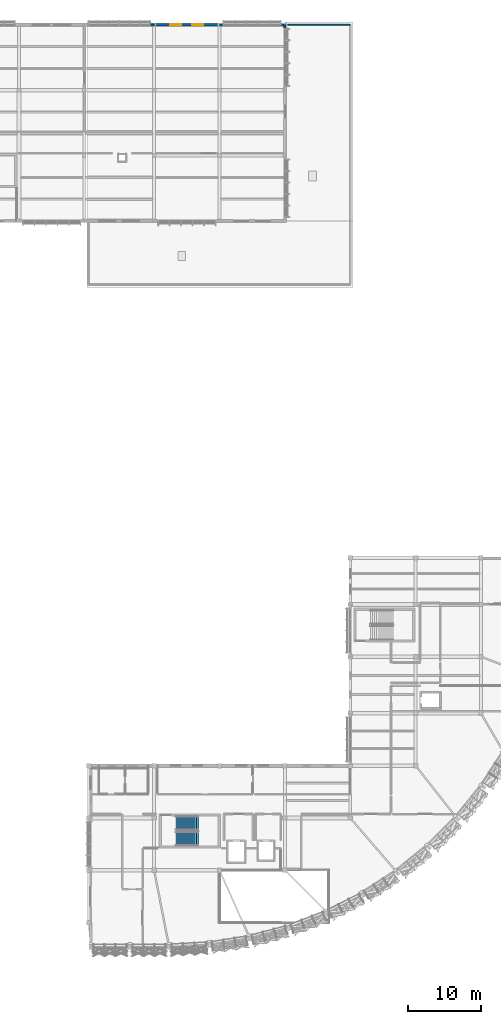
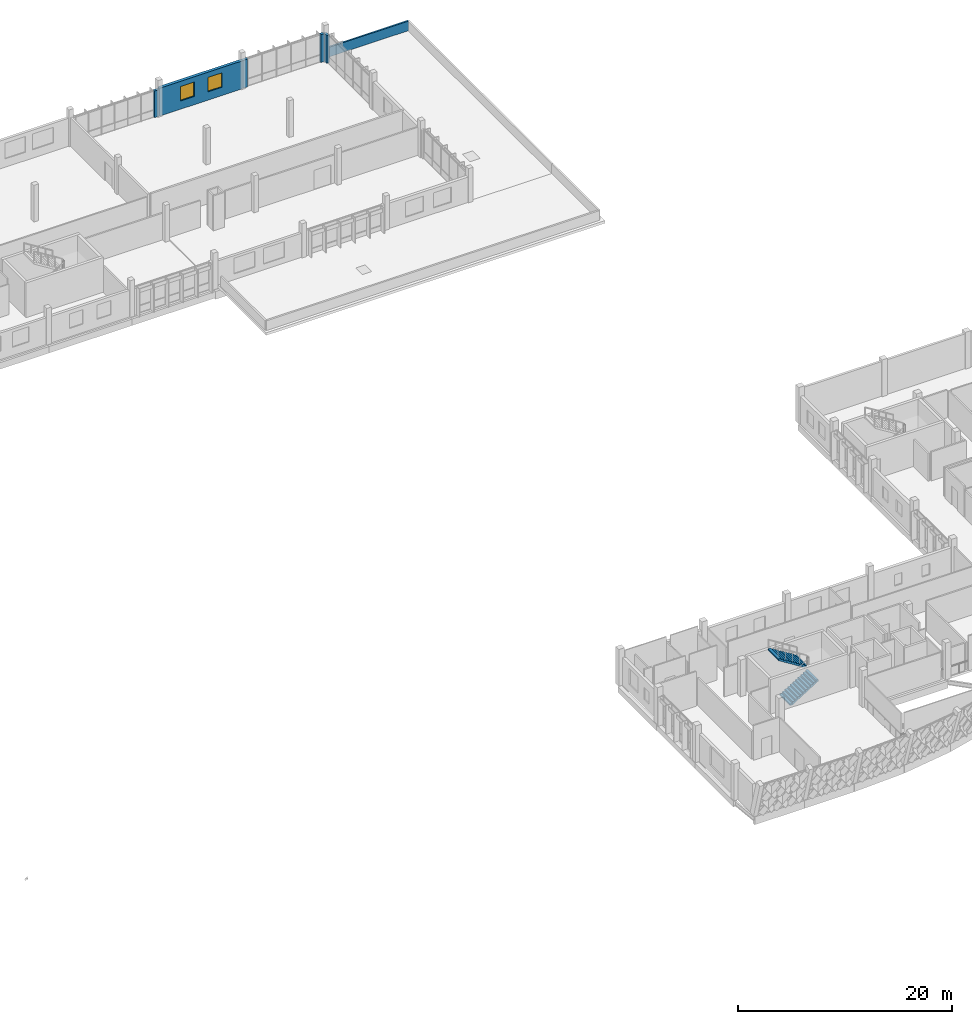
# One storey, part 100 of 107: 6 walls, 2 stair flights, 2 windows, 2 openings, 1 element without a shape of its own.
"""IFC4 building model written with IfcOpenShell, lengths in metres."""

import ifcopenshell
import ifcopenshell.guid

model = None  # the IFC model being written
_history = None  # IfcOwnerHistory: only IFC2X3 demands one
_inside = {}  # id of a spatial element -> (the spatial element, [elements in it])
_under = {}  # id of a project, library or spatial element -> (it, [spatial elements below it])
_declared = {}  # id of a project -> (the project, [libraries it declares])
_typed = {}  # id of a type object -> (the type object, [elements of that type])
_made_of = {}  # id of a material, layer set ... -> (it, [elements and type objects made of it])


def new_model(schema):
    """Start an empty IFC model of exactly this schema.

    Asked for "IFC4X3", IfcOpenShell would pick the latest addendum, in which some entities
    have other attributes; the version numbers below select the first issue.
    IFC2X3 requires an IfcOwnerHistory on every rooted entity: one is made here for all.
    """
    global model, _history
    if schema == "IFC4X3":
        model = ifcopenshell.file(schema_version=(4, 3, 0, 0))
    else:
        model = ifcopenshell.file(schema=schema)
    _inside.clear()
    _under.clear()
    _declared.clear()
    _typed.clear()
    _made_of.clear()
    _history = None
    if model.schema == "IFC2X3":
        org = make("IfcOrganization", Name="unknown")
        user = make(
            "IfcPersonAndOrganization",
            ThePerson=make("IfcPerson", FamilyName="unknown"),
            TheOrganization=org,
        )
        app = make(
            "IfcApplication",
            ApplicationDeveloper=org,
            Version="unknown",
            ApplicationFullName="unknown",
            ApplicationIdentifier="unknown",
        )
        _history = make(
            "IfcOwnerHistory",
            OwningUser=user,
            OwningApplication=app,
            ChangeAction="ADDED",
            CreationDate=0,
        )
    return model


def make(cls, **values):
    """One entity of the class cls with the attributes given. An attribute that is None is left unset."""
    return model.create_entity(
        cls, **{name: value for name, value in values.items() if value is not None}
    )


def rooted(cls, **values):
    """An entity with a GlobalId (a new one), such as an element, a storey or a relation."""
    return make(cls, GlobalId=ifcopenshell.guid.new(), OwnerHistory=_history, **values)


def si_unit(unit_type, name, prefix=None):
    """IfcSIUnit, for example si_unit("LENGTHUNIT", "METRE", prefix="MILLI")."""
    return make("IfcSIUnit", UnitType=unit_type, Prefix=prefix, Name=name)


def assignment(units):
    """IfcUnitAssignment: the units of a project."""
    return None if units is None else make("IfcUnitAssignment", Units=units)


def point(xyz):
    """IfcCartesianPoint."""
    return None if xyz is None else make("IfcCartesianPoint", Coordinates=xyz)


def direction(xyz):
    """IfcDirection."""
    return None if xyz is None else make("IfcDirection", DirectionRatios=xyz)


def frame(location, z_axis=None, x_axis=None):
    """IfcAxis2Placement3D, a coordinate frame: its origin and axes. An axis left out is left unset."""
    return make(
        "IfcAxis2Placement3D",
        Location=point(location),
        Axis=direction(z_axis),
        RefDirection=direction(x_axis),
    )


def frame_2d(location, x_axis=None):
    """IfcAxis2Placement2D, a coordinate frame in the plane: its origin and x axis."""
    return make(
        "IfcAxis2Placement2D", Location=point(location), RefDirection=direction(x_axis)
    )


def origin():
    """The frame at (0, 0, 0) with its axes left unset."""
    return frame((0.0, 0.0, 0.0))


def place(relative_to, where):
    """IfcLocalPlacement: puts the frame where relative to a parent placement (None: the world)."""
    return make(
        "IfcLocalPlacement", PlacementRelTo=relative_to, RelativePlacement=where
    )


def context(
    kind, dimensions, precision=None, world=None, true_north=None, identifier=None
):
    """IfcGeometricRepresentationContext, for example the 3D "Model" context."""
    return make(
        "IfcGeometricRepresentationContext",
        ContextIdentifier=identifier,
        ContextType=kind,
        CoordinateSpaceDimension=dimensions,
        Precision=precision,
        WorldCoordinateSystem=world,
        TrueNorth=true_north,
    )


def subcontext(parent, identifier, kind, view, scale=None):
    """IfcGeometricRepresentationSubContext, for example "Body" below "Model"."""
    return make(
        "IfcGeometricRepresentationSubContext",
        ContextIdentifier=identifier,
        ContextType=kind,
        ParentContext=parent,
        TargetScale=scale,
        TargetView=view,
    )


def project(units=None, contexts=None):
    """IfcProject with its units and contexts."""
    return rooted(
        "IfcProject",
        Name="project",
        RepresentationContexts=contexts,
        UnitsInContext=assignment(units),
    )


def spatial(cls, under=None, at=None, **own):
    """A site, building, storey or space (cls), placed at a placement, below another one or the project."""
    s = rooted(cls, ObjectPlacement=at, **own)
    if under is not None:
        _under.setdefault(under.id(), (under, []))[1].append(s)
    return s


def polyline(points):
    """IfcPolyline through the points."""
    return make("IfcPolyline", Points=[point(p) for p in points])


def profile(cls, at=None, kind="AREA", **sizes):
    """A parametric profile (cls). Its sizes go by their IFC names, for example OverallWidth=200.0."""
    return make(cls, ProfileType=kind, Position=at, **sizes)


def rectangle(**sizes):
    """IfcRectangleProfileDef."""
    return profile("IfcRectangleProfileDef", **sizes)


def outline(outer, holes=None, kind="AREA"):
    """IfcArbitraryClosedProfileDef: a profile drawn as a closed curve; with holes, ...WithVoids."""
    if holes is None:
        return make("IfcArbitraryClosedProfileDef", ProfileType=kind, OuterCurve=outer)
    return make(
        "IfcArbitraryProfileDefWithVoids",
        ProfileType=kind,
        OuterCurve=outer,
        InnerCurves=holes,
    )


def extrude(swept, where, along, depth):
    """IfcExtrudedAreaSolid: the profile swept, set in the frame where, extruded along a direction by depth."""
    return make(
        "IfcExtrudedAreaSolid",
        SweptArea=swept,
        Position=where,
        ExtrudedDirection=direction(along),
        Depth=depth,
    )


def shape(context_of_items, identifier, shape_type, items):
    """IfcShapeRepresentation: the items that make up one representation, for example the "Body"."""
    return make(
        "IfcShapeRepresentation",
        ContextOfItems=context_of_items,
        RepresentationIdentifier=identifier,
        RepresentationType=shape_type,
        Items=items,
    )


def material(Name=None, Category=None):
    """IfcMaterial."""
    return make("IfcMaterial", Name=Name, Category=Category)


def layer(
    of_material, thickness, ventilated=None, Name=None, Category=None, Priority=None
):
    """IfcMaterialLayer: one layer of a wall or slab, of a material (None: an air gap)."""
    return make(
        "IfcMaterialLayer",
        Material=of_material,
        LayerThickness=thickness,
        IsVentilated=ventilated,
        Name=Name,
        Category=Category,
        Priority=Priority,
    )


def layer_set(layers, Name=None):
    """IfcMaterialLayerSet."""
    return make("IfcMaterialLayerSet", MaterialLayers=layers, LayerSetName=Name)


def made_of(thing, what):
    """Note that an element or type object is made of a material, layer set ...; save() writes the relation."""
    if what is not None:
        _made_of.setdefault(what.id(), (what, []))[1].append(thing)
    return thing


def type_object(cls, material=None, **own):
    """A type object (cls), such as IfcWallType, which elements share."""
    return made_of(rooted(cls, **own), material)


def element(
    cls,
    number,
    at=None,
    inside=None,
    cuts=None,
    type_object=None,
    material=None,
    context=None,
    identifier="Body",
    shape_type=None,
    held_by="IfcProductDefinitionShape",
    body=None,
    shapes=None,
    **own,
):
    """One element of the class cls, such as IfcWall. Its Tag is "e" and its number.

    at: its placement. inside: the storey or other place that contains it. cuts: it is an
    opening in that element (IfcRelVoidsElement). A single representation is given by context,
    identifier, shape_type and body (its items); several are given by shapes. held_by: the class
    of the entity that holds the representations. save() writes the other relations.
    """
    e = rooted(cls, Tag="e%d" % number, ObjectPlacement=at, **own)
    if body is not None:
        shapes = [shape(context, identifier, shape_type, body)]
    if shapes is not None:
        e.Representation = make(held_by, Representations=shapes)
    if inside is not None:
        _inside.setdefault(inside.id(), (inside, []))[1].append(e)
    if cuts is not None:
        rooted(
            "IfcRelVoidsElement", RelatingBuildingElement=cuts, RelatedOpeningElement=e
        )
    if type_object is not None:
        _typed.setdefault(type_object.id(), (type_object, []))[1].append(e)
    return made_of(e, material)


def fill(opening, filler):
    """IfcRelFillsElement: the door or window that sits in an opening."""
    return rooted(
        "IfcRelFillsElement",
        RelatingOpeningElement=opening,
        RelatedBuildingElement=filler,
    )


def aggregate(whole, parts):
    """IfcRelAggregates: a whole, such as a stair, and the parts it consists of."""
    return rooted("IfcRelAggregates", RelatingObject=whole, RelatedObjects=parts)


def save(model, path):
    """Write the relations noted so far, then the file.

    IfcRelAggregates (storeys below a building ...), IfcRelContainedInSpatialStructure (elements
    in a storey), IfcRelDefinesByType, IfcRelAssociatesMaterial and IfcRelDeclares: one each for
    every whole, place, type object, material and project.
    """
    for whole, parts in _under.values():
        aggregate(whole, parts)
    for where, things in _inside.values():
        rooted(
            "IfcRelContainedInSpatialStructure",
            RelatedElements=things,
            RelatingStructure=where,
        )
    for kind, things in _typed.values():
        rooted("IfcRelDefinesByType", RelatedObjects=things, RelatingType=kind)
    for what, things in _made_of.values():
        rooted("IfcRelAssociatesMaterial", RelatedObjects=things, RelatingMaterial=what)
    for by, libraries in _declared.values():
        rooted("IfcRelDeclares", RelatingContext=by, RelatedDefinitions=libraries)
    model.write(path)


model = new_model("IFC4")

# Units and contexts
model_context = context("Model", 3, precision=1e-05, world=origin(), true_north=direction((0.0, 1.0)))
body_context = subcontext(model_context, "Body", "Model", "MODEL_VIEW")
ifc_project = project(units=[si_unit("LENGTHUNIT", "METRE"), si_unit("AREAUNIT", "SQUARE_METRE"), si_unit("VOLUMEUNIT", "CUBIC_METRE"), si_unit("PLANEANGLEUNIT", "RADIAN"), si_unit("MASSUNIT", "GRAM", prefix="KILO")], contexts=[model_context])

# Site, building, storey
site_placement = place(None, origin())
site = spatial("IfcSite", under=ifc_project, at=site_placement, CompositionType="ELEMENT")
building_placement = place(site_placement, origin())
building = spatial("IfcBuilding", under=site, at=building_placement, Name="Chiffa Square Polytechnic", CompositionType="ELEMENT")
storey_placement = place(building_placement, frame((0.0, 0.0, 13.800048828125)))
storey = spatial("IfcBuildingStorey", under=building, at=storey_placement, Name="L03", CompositionType="ELEMENT", Elevation=13.800048828125)

# Walls
ifc_material_1 = material(Name="Precast concrete C40/50", Category="concrete")
ifc_layer_1 = layer(ifc_material_1, 0.260009765625, Name="Precast concrete C40/50")
ifc_layer_set_1 = layer_set([ifc_layer_1], Name="Precast concrete C40/50")
wall_type_1 = type_object("IfcWallType", Name="WL-EXT-PC260", PredefinedType="SOLIDWALL", material=ifc_layer_set_1)
wall_1_placement = place(storey_placement, frame((139.199951171875, 130.260009765625, 0.0), z_axis=(0.0, 0.0, 1.0), x_axis=(0.0, 1.0, 0.0)))
element("IfcWall", 1, at=wall_1_placement, inside=storey, type_object=wall_type_1, Name="Facade column pier V5-L03-0342R", PredefinedType="SOLIDWALL", context=body_context, shape_type="SweptSolid", body=[
    extrude(rectangle(XDim=0.5400390625, YDim=0.260009765625, at=frame_2d((0.27001953125, 0.0))), origin(), (0.0, 0.0, 1.0), 3.195068359375),
])
wall_2_placement = place(storey_placement, frame((121.199951171875, 130.800048828125, 0.0), z_axis=(0.0, 0.0, 1.0), x_axis=(-1.0, 0.0, 0.0)))
element("IfcWall", 2, at=wall_2_placement, inside=storey, type_object=wall_type_1, Name="Facade column pier V5-L03-0345L", PredefinedType="SOLIDWALL", context=body_context, shape_type="SweptSolid", body=[
    extrude(rectangle(XDim=0.5400390625, YDim=0.260009765625, at=frame_2d((0.27001953125, 0.0))), origin(), (0.0, 0.0, 1.0), 3.044921875),
])
ifc_layer_2 = layer(ifc_material_1, 0.280029296875, Name="Precast concrete C40/50")
ifc_layer_set_2 = layer_set([ifc_layer_2], Name="Precast concrete C40/50")
wall_type_2 = type_object("IfcWallType", Name="WL-EXT-PC280", PredefinedType="SOLIDWALL", material=ifc_layer_set_2)
wall_3_placement = place(storey_placement, frame((139.068115234375, 130.800048828125, 0.0), z_axis=(0.0, 0.0, 1.0), x_axis=(-1.0, 0.0, 0.0)))
element("IfcWall", 3, at=wall_3_placement, inside=storey, type_object=wall_type_2, Name="Facade column pier V5-L03-0343L", PredefinedType="SOLIDWALL", context=body_context, shape_type="SweptSolid", body=[
    extrude(rectangle(XDim=0.408203125, YDim=0.280029296875, at=frame_2d((0.2041015625, 0.0))), origin(), (0.0, 0.0, 1.0), 3.195068359375),
])
wall_4_placement = place(storey_placement, frame((130.739990234375, 130.800048828125, 0.0), z_axis=(0.0, 0.0, 1.0), x_axis=(-1.0, 0.0, 0.0)))
element("IfcWall", 4, at=wall_4_placement, inside=storey, type_object=wall_type_2, Name="Facade column pier V5-L03-0343R", PredefinedType="SOLIDWALL", context=body_context, shape_type="SweptSolid", body=[
    extrude(rectangle(XDim=0.5400390625, YDim=0.280029296875, at=frame_2d((0.27001953125, 0.0))), origin(), (0.0, 0.0, 1.0), 3.195068359375),
])

# Wall, openings, windows
ifc_layer_3 = layer(ifc_material_1, 0.320068359375, Name="Precast concrete C40/50")
ifc_layer_set_3 = layer_set([ifc_layer_3], Name="Precast concrete C40/50")
wall_type_3 = type_object("IfcWallType", Name="WL-EXT-PC320", PredefinedType="SOLIDWALL", material=ifc_layer_set_3)
wall_5_placement = place(storey_placement, frame((130.199951171875, 130.800048828125, 0.0), z_axis=(0.0, 0.0, 1.0), x_axis=(-1.0, 0.0, 0.0)))
wall_5 = element("IfcWall", 5, at=wall_5_placement, inside=storey, type_object=wall_type_3, Name="Exterior wall WE-V5-L03-0344", PredefinedType="SOLIDWALL", context=body_context, shape_type="SweptSolid", body=[
    extrude(rectangle(XDim=9.0, YDim=0.320068359375, at=frame_2d((4.5, 0.0))), origin(), (0.0, 0.0, 1.0), 3.195068359375),
])
opening_1_placement = place(wall_5_placement, frame((2.25, 0.0, 0.949951171875)))
opening_1 = element("IfcOpeningElement", 6, at=opening_1_placement, cuts=wall_5, Name="Opening W-07", PredefinedType="OPENING", context=body_context, shape_type="SweptSolid", body=[
    extrude(rectangle(XDim=1.5, YDim=1.64990234375, at=frame_2d((0.75, 0.824951171875))), frame((0.0, 0.169921875, 0.0), z_axis=(0.0, -1.0, 0.0), x_axis=(1.0, 0.0, 0.0)), (0.0, 0.0, 1.0), 0.340087890625),
])
opening_2_placement = place(wall_5_placement, frame((5.25, 0.0, 0.949951171875)))
opening_2 = element("IfcOpeningElement", 7, at=opening_2_placement, cuts=wall_5, Name="Opening W-07", PredefinedType="OPENING", context=body_context, shape_type="SweptSolid", body=[
    extrude(rectangle(XDim=1.5, YDim=1.64990234375, at=frame_2d((0.75, 0.824951171875))), frame((0.0, 0.169921875, 0.0), z_axis=(0.0, -1.0, 0.0), x_axis=(1.0, 0.0, 0.0)), (0.0, 0.0, 1.0), 0.340087890625),
])
ifc_material_2 = material(Name="Double glazing in thermally broken aluminium frame", Category="aluminium")
window_type = type_object("IfcWindowType", Name="WIN-LAB-1500X1650", PartitioningType="DOUBLE_PANEL_VERTICAL", PredefinedType="WINDOW", material=ifc_material_2)
window_1_placement = place(opening_1_placement, origin())
window_1 = element("IfcWindow", 8, at=window_1_placement, inside=storey, type_object=window_type, Name="Facade window WN-L03-0237", OverallHeight=1.64990234375, OverallWidth=1.5, PartitioningType="DOUBLE_PANEL_VERTICAL", PredefinedType="WINDOW", context=body_context, shape_type="SweptSolid", body=[
    extrude(rectangle(XDim=1.5, YDim=1.64990234375, at=frame_2d((0.75, 0.824951171875))), frame((0.0, 0.030029296875, 0.0), z_axis=(0.0, -1.0, 0.0), x_axis=(1.0, 0.0, 0.0)), (0.0, 0.0, 1.0), 0.06005859375),
])
fill(opening_1, window_1)
window_2_placement = place(opening_2_placement, origin())
window_2 = element("IfcWindow", 9, at=window_2_placement, inside=storey, type_object=window_type, Name="Facade window WN-L03-0238", OverallHeight=1.64990234375, OverallWidth=1.5, PartitioningType="DOUBLE_PANEL_VERTICAL", PredefinedType="WINDOW", context=body_context, shape_type="SweptSolid", body=[
    extrude(rectangle(XDim=1.5, YDim=1.64990234375, at=frame_2d((0.75, 0.824951171875))), frame((0.0, 0.030029296875, 0.0), z_axis=(0.0, -1.0, 0.0), x_axis=(1.0, 0.0, 0.0)), (0.0, 0.0, 1.0), 0.06005859375),
])
fill(opening_2, window_2)

# Wall
ifc_layer_4 = layer(ifc_material_1, 0.179931640625, Name="Precast concrete C40/50")
ifc_layer_set_4 = layer_set([ifc_layer_4], Name="Precast concrete C40/50")
wall_type_4 = type_object("IfcWallType", Name="WL-PAR-180", PredefinedType="PARAPET", material=ifc_layer_set_4)
wall_6_placement = place(storey_placement, frame((148.199951171875, 130.800048828125, 0.300048828125), z_axis=(0.0, 0.0, 1.0), x_axis=(-1.0, 0.0, 0.0)))
element("IfcWall", 10, at=wall_6_placement, inside=storey, type_object=wall_type_4, Name="Roof parapet PRP-V5-E-2", PredefinedType="PARAPET", context=body_context, shape_type="SweptSolid", body=[
    extrude(rectangle(XDim=8.599853515625, YDim=0.179931640625, at=frame_2d((4.2998046875, 0.0))), origin(), (0.0, 0.0, 1.0), 1.099853515625),
])

# Stair, stair flights
ifc_material_3 = material(Name="Concrete C35/45", Category="concrete")
stair_type = type_object("IfcStairType", Name="STAIR-DOG-1950", PredefinedType="HALF_TURN_STAIR", material=ifc_material_3)
stair_placement = place(storey_placement, origin())
stair = element("IfcStair", 11, at=stair_placement, inside=storey, type_object=stair_type, Name="L03 Enclosed exit stair ST-V1A", PredefinedType="HALF_TURN_STAIR")
stair_flight_type = type_object("IfcStairFlightType", Name="STFLT-1950", PredefinedType="STRAIGHT", material=ifc_material_3)
stair_flight_1_placement = place(storey_placement, frame((124.199951171875, 18.72509765625, 0.0), z_axis=(0.0, 0.0, 1.0), x_axis=(1.0, 0.0, 0.0)))
stair_flight_1 = element("IfcStairFlight", 12, at=stair_flight_1_placement, type_object=stair_flight_type, Name="ST-V1A flight 1", NumberOfRisers=12, NumberOfTreads=11, PredefinedType="STRAIGHT", RiserHeight=0.175, TreadLength=0.28, context=body_context, shape_type="SweptSolid", body=[
    extrude(outline(polyline([(0.0, 0.0), (0.0, 0.175048828125), (0.280029296875, 0.175048828125), (0.280029296875, 0.35009765625), (0.56005859375, 0.35009765625), (0.56005859375, 0.52490234375), (0.840087890625, 0.52490234375), (0.840087890625, 0.699951171875), (1.1201171875, 0.699951171875), (1.1201171875, 0.875), (1.39990234375, 0.875), (1.39990234375, 1.050048828125), (1.679931640625, 1.050048828125), (1.679931640625, 1.22509765625), (1.9599609375, 1.22509765625), (1.9599609375, 1.39990234375), (2.239990234375, 1.39990234375), (2.239990234375, 1.574951171875), (2.52001953125, 1.574951171875), (2.52001953125, 1.75), (2.800048828125, 1.75), (2.800048828125, 1.925048828125), (3.080078125, 1.925048828125), (3.080078125, 2.10009765625), (3.080078125, 1.736328125), (0.3017578125, 0.0), (0.0, 0.0)])), frame((0.0, 0.97509765625, 0.0), z_axis=(0.0, -1.0, 0.0), x_axis=(1.0, 0.0, 0.0)), (0.0, 0.0, 1.0), 1.949951171875),
])
stair_flight_2_placement = place(storey_placement, frame((127.280029296875, 20.875, 2.099853515625), z_axis=(0.0, 0.0, 1.0), x_axis=(-1.0, 0.0, 0.0)))
stair_flight_2 = element("IfcStairFlight", 13, at=stair_flight_2_placement, type_object=stair_flight_type, Name="ST-V1A flight 2", NumberOfRisers=12, NumberOfTreads=11, PredefinedType="STRAIGHT", RiserHeight=0.175, TreadLength=0.28, context=body_context, shape_type="SweptSolid", body=[
    extrude(outline(polyline([(0.0, 0.0), (0.0, 0.175048828125), (0.280029296875, 0.175048828125), (0.280029296875, 0.35009765625), (0.56005859375, 0.35009765625), (0.56005859375, 0.52490234375), (0.840087890625, 0.52490234375), (0.840087890625, 0.699951171875), (1.1201171875, 0.699951171875), (1.1201171875, 0.875), (1.39990234375, 0.875), (1.39990234375, 1.050048828125), (1.679931640625, 1.050048828125), (1.679931640625, 1.22509765625), (1.9599609375, 1.22509765625), (1.9599609375, 1.39990234375), (2.239990234375, 1.39990234375), (2.239990234375, 1.574951171875), (2.52001953125, 1.574951171875), (2.52001953125, 1.75), (2.800048828125, 1.75), (2.800048828125, 1.925048828125), (3.080078125, 1.925048828125), (3.080078125, 2.10009765625), (3.080078125, 1.736328125), (0.3017578125, 0.0), (0.0, 0.0)])), frame((0.0, 0.97509765625, 0.0), z_axis=(0.0, -1.0, 0.0), x_axis=(1.0, 0.0, 0.0)), (0.0, 0.0, 1.0), 1.949951171875),
])
aggregate(stair, [stair_flight_1, stair_flight_2])

save(model, "model.ifc")
